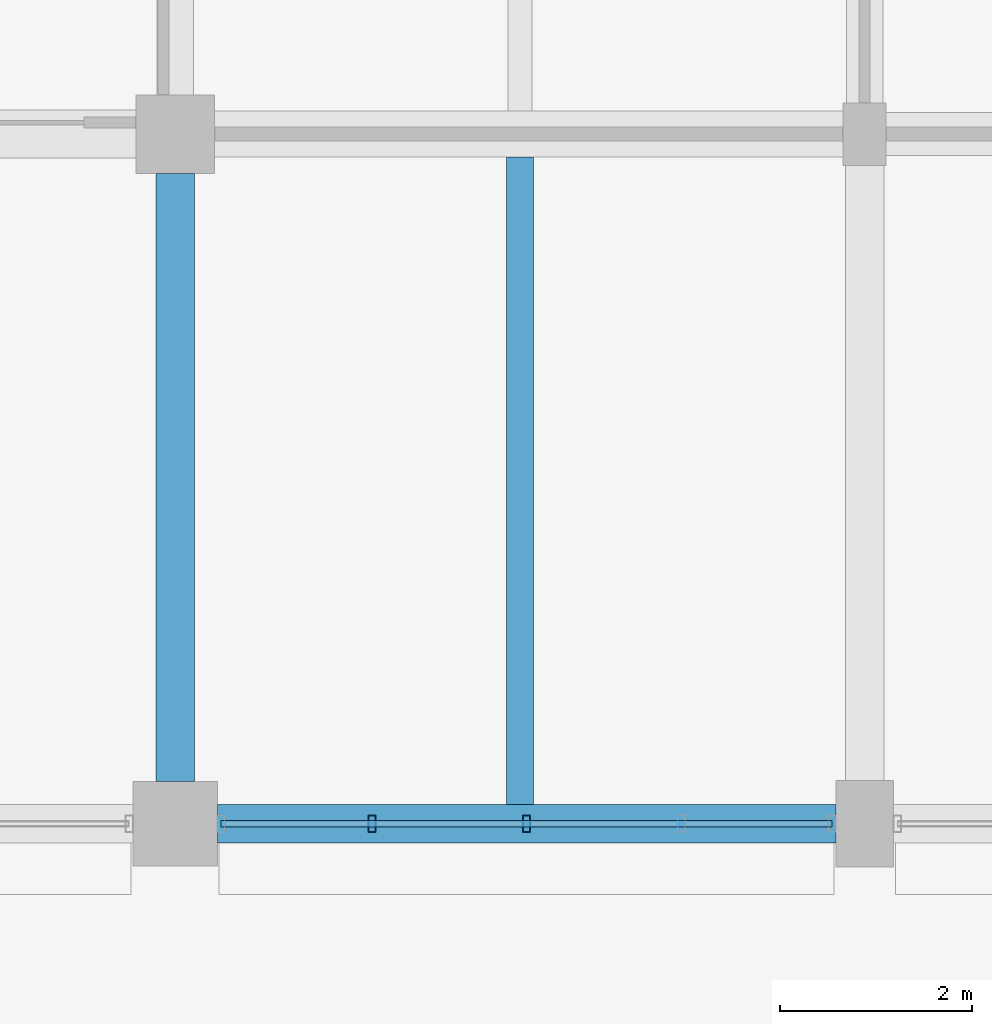
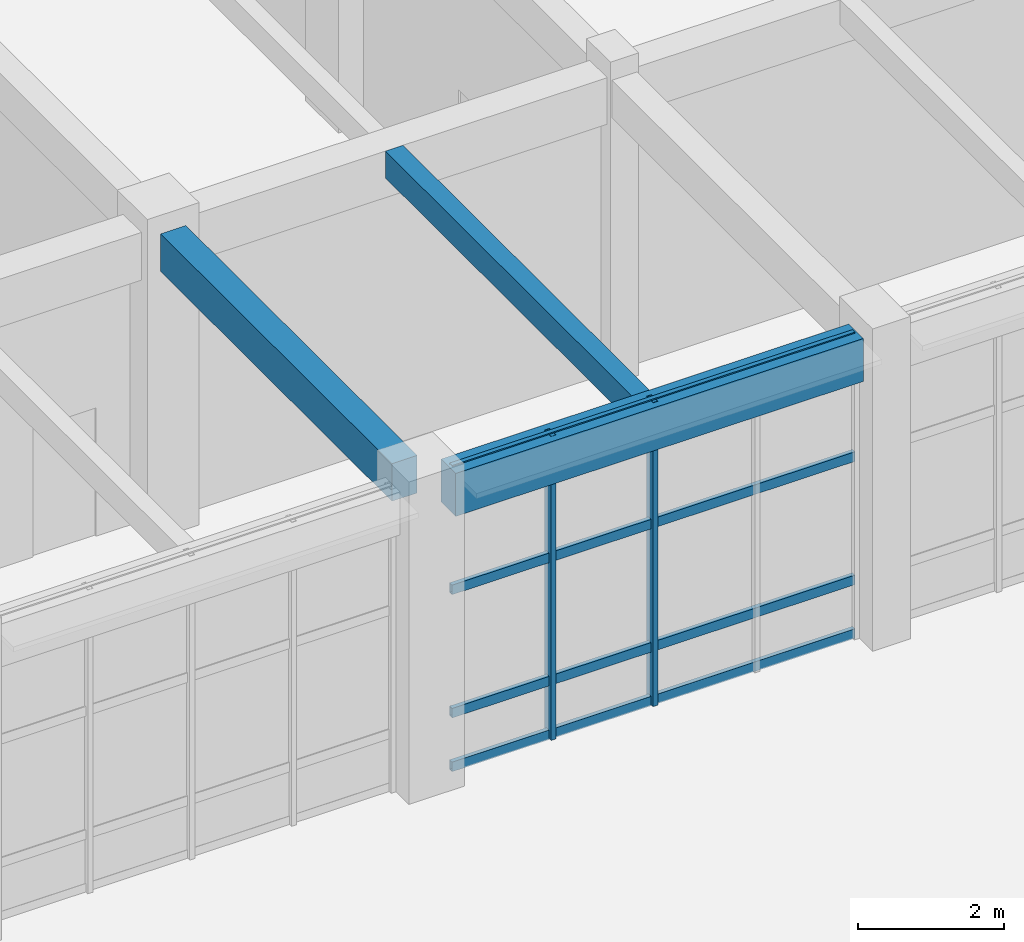
# One storey, part 75 of 160: 6 members, 3 beams, 1 element without a shape of its own.
"""IFC4 building model written with IfcOpenShell, lengths in metres."""

from ifc_helpers import new_model, si_unit, direction, frame, origin, origin_2d, place, context, subcontext, project, spatial, rectangle, hollow_rectangle, extrude, material, material_profile, profile_set, type_object, element, aggregate, save


model = new_model("IFC4")

# Units and contexts
model_context = context("Model", 3, precision=1e-05, world=origin(), true_north=direction((0.0, 1.0)))
body_context = subcontext(model_context, "Body", "Model", "MODEL_VIEW")
ifc_project = project(units=[si_unit("LENGTHUNIT", "METRE"), si_unit("AREAUNIT", "SQUARE_METRE"), si_unit("VOLUMEUNIT", "CUBIC_METRE"), si_unit("PLANEANGLEUNIT", "RADIAN"), si_unit("MASSUNIT", "GRAM", prefix="KILO")], contexts=[model_context])

# Site, building, storey
site_placement = place(None, origin())
site = spatial("IfcSite", under=ifc_project, at=site_placement, CompositionType="ELEMENT")
building_placement = place(site_placement, origin())
building = spatial("IfcBuilding", under=site, at=building_placement, Name="Thalmaran Polytechnic", CompositionType="ELEMENT")
storey_placement = place(building_placement, origin())
storey = spatial("IfcBuildingStorey", under=building, at=storey_placement, Name="L00", CompositionType="ELEMENT", Elevation=0.0)

# Beams
ifc_material_1 = material(Name="Concrete C40/50", Category="concrete")
ifc_material_profile_1 = material_profile(ifc_material_1, rectangle(XDim=0.39990234375, YDim=0.6298828125, at=origin_2d()), Name="RC 400x630")
ifc_profile_set_1 = profile_set([ifc_material_profile_1], Name="Concrete C40/50")
beam_type_1 = type_object("IfcBeamType", Name="BM-RC07", PredefinedType="BEAM", material=ifc_profile_set_1)
beam_1_placement = place(storey_placement, frame((72.0, 94.0400390625, 4.77490234375), z_axis=(0.0, 1.0, 0.0), x_axis=(-1.0, 0.0, 0.0)))
element("IfcBeam", 1, at=beam_1_placement, inside=storey, type_object=beam_type_1, Name="Grid Beam B07 L00 Y(10,13)", PredefinedType="BEAM", context=body_context, shape_type="SweptSolid", body=[
    extrude(rectangle(XDim=0.39990234375, YDim=0.6298828125, at=origin_2d()), origin(), (0.0, 0.0, 1.0), 6.349853515625),
])
ifc_material_profile_2 = material_profile(ifc_material_1, rectangle(XDim=0.280029296875, YDim=0.449951171875, at=origin_2d()), Name="RC 280x450")
ifc_profile_set_2 = profile_set([ifc_material_profile_2], Name="Concrete C40/50")
beam_type_2 = type_object("IfcBeamType", Name="BM-RC13", PredefinedType="JOIST", material=ifc_profile_set_2)
beam_2_placement = place(storey_placement, frame((75.60009765625, 93.800048828125, 4.864990234375), z_axis=(0.0, 1.0, 0.0), x_axis=(-1.0, 0.0, 0.0)))
element("IfcBeam", 2, at=beam_2_placement, inside=storey, type_object=beam_type_2, Name="Secondary Floor Rib RB03 L00 (10,13)", PredefinedType="JOIST", context=body_context, shape_type="SweptSolid", body=[
    extrude(rectangle(XDim=0.280029296875, YDim=0.449951171875, at=origin_2d()), origin(), (0.0, 0.0, 1.0), 6.760009765625),
])
ifc_material_profile_3 = material_profile(ifc_material_1, rectangle(XDim=0.39990234375, YDim=0.719970703125, at=origin_2d()), Name="RC 400x720")
ifc_profile_set_3 = profile_set([ifc_material_profile_3], Name="Concrete C40/50")
beam_type_3 = type_object("IfcBeamType", Name="BM-SP01", PredefinedType="SPANDREL", material=ifc_profile_set_3)
beam_3_placement = place(storey_placement, frame((72.43994140625, 93.60009765625, 4.72998046875), z_axis=(1.0, 0.0, 0.0), x_axis=(0.0, 1.0, 0.0)))
element("IfcBeam", 3, at=beam_3_placement, inside=storey, type_object=beam_type_3, Name="Grid Beam SP01 L00 X(10,13)", PredefinedType="SPANDREL", context=body_context, shape_type="SweptSolid", body=[
    extrude(rectangle(XDim=0.39990234375, YDim=0.719970703125, at=origin_2d()), origin(), (0.0, 0.0, 1.0), 6.4599609375),
])

# Curtain wall, members
ifc_material_2 = material(Name="Aluminium 6063-T6", Category="aluminium")
curtain_wall_type = type_object("IfcCurtainWallType", Name="CW-UC01", PredefinedType="USERDEFINED", material=ifc_material_2)
curtain_wall_placement = place(storey_placement, origin())
curtain_wall = element("IfcCurtainWall", 4, at=curtain_wall_placement, inside=storey, type_object=curtain_wall_type, Name="Curtain Wall CW-L00-015", ObjectType="UNITISED CURTAIN WALL", PredefinedType="USERDEFINED")
ifc_material_profile_4 = material_profile(ifc_material_2, hollow_rectangle(XDim=0.080078125, YDim=0.179931640625, WallThickness=0.0048828125, at=origin_2d()), Name="RHS 180x80x5.0")
ifc_profile_set_4 = profile_set([ifc_material_profile_4], Name="Aluminium 6063-T6")
member_type_1 = type_object("IfcMemberType", Name="CW-MUL1", PredefinedType="MULLION", material=ifc_profile_set_4)
member_1_placement = place(storey_placement, frame((75.669921875, 93.60009765625, 0.0), z_axis=(0.0, 0.0, 1.0), x_axis=(1.0, 0.0, 0.0)))
member_1 = element("IfcMember", 5, at=member_1_placement, type_object=member_type_1, Name="CW-L00-015 Mullion 3", PredefinedType="MULLION", context=body_context, shape_type="SweptSolid", body=[
    extrude(hollow_rectangle(XDim=0.080078125, YDim=0.179931640625, WallThickness=0.0048828125, at=origin_2d()), origin(), (0.0, 0.0, 1.0), 5.090087890625),
])
member_2_placement = place(storey_placement, frame((74.054931640625, 93.60009765625, 0.0), z_axis=(0.0, 0.0, 1.0), x_axis=(1.0, 0.0, 0.0)))
member_2 = element("IfcMember", 6, at=member_2_placement, type_object=member_type_1, Name="CW-L00-015 Mullion 4", PredefinedType="MULLION", context=body_context, shape_type="SweptSolid", body=[
    extrude(hollow_rectangle(XDim=0.080078125, YDim=0.179931640625, WallThickness=0.0048828125, at=origin_2d()), origin(), (0.0, 0.0, 1.0), 5.090087890625),
])
ifc_material_profile_5 = material_profile(ifc_material_2, hollow_rectangle(XDim=0.070068359375, YDim=0.159912109375, WallThickness=0.00390625, at=origin_2d()), Name="AL 160x70x4.0")
ifc_profile_set_5 = profile_set([ifc_material_profile_5], Name="Aluminium 6063-T6")
member_type_2 = type_object("IfcMemberType", Name="CW-TRN1", PredefinedType="USERDEFINED", material=ifc_profile_set_5)
member_3_placement = place(storey_placement, frame((78.860107421875, 93.60009765625, 0.06005859375), z_axis=(-1.0, 0.0, 0.0), x_axis=(0.0, -1.0, 0.0)))
member_3 = element("IfcMember", 7, at=member_3_placement, type_object=member_type_2, Name="CW-L00-015 Transom 1", ObjectType="TRANSOM", PredefinedType="USERDEFINED", context=body_context, shape_type="SweptSolid", body=[
    extrude(hollow_rectangle(XDim=0.070068359375, YDim=0.159912109375, WallThickness=0.00390625, at=origin_2d()), origin(), (0.0, 0.0, 1.0), 6.380126953125),
])
member_4_placement = place(storey_placement, frame((78.860107421875, 93.60009765625, 0.9599609375), z_axis=(-1.0, 0.0, 0.0), x_axis=(0.0, -1.0, 0.0)))
member_4 = element("IfcMember", 8, at=member_4_placement, type_object=member_type_2, Name="CW-L00-015 Transom 2", ObjectType="TRANSOM", PredefinedType="USERDEFINED", context=body_context, shape_type="SweptSolid", body=[
    extrude(hollow_rectangle(XDim=0.070068359375, YDim=0.159912109375, WallThickness=0.00390625, at=origin_2d()), origin(), (0.0, 0.0, 1.0), 6.380126953125),
])
member_5_placement = place(storey_placement, frame((78.860107421875, 93.60009765625, 3.02490234375), z_axis=(-1.0, 0.0, 0.0), x_axis=(0.0, -1.0, 0.0)))
member_5 = element("IfcMember", 9, at=member_5_placement, type_object=member_type_2, Name="CW-L00-015 Transom 3", ObjectType="TRANSOM", PredefinedType="USERDEFINED", context=body_context, shape_type="SweptSolid", body=[
    extrude(hollow_rectangle(XDim=0.070068359375, YDim=0.159912109375, WallThickness=0.00390625, at=origin_2d()), origin(), (0.0, 0.0, 1.0), 6.380126953125),
])
member_6_placement = place(storey_placement, frame((78.860107421875, 93.60009765625, 5.030029296875), z_axis=(-1.0, 0.0, 0.0), x_axis=(0.0, -1.0, 0.0)))
member_6 = element("IfcMember", 10, at=member_6_placement, type_object=member_type_2, Name="CW-L00-015 Transom 4", ObjectType="TRANSOM", PredefinedType="USERDEFINED", context=body_context, shape_type="SweptSolid", body=[
    extrude(hollow_rectangle(XDim=0.070068359375, YDim=0.159912109375, WallThickness=0.00390625, at=origin_2d()), origin(), (0.0, 0.0, 1.0), 6.380126953125),
])
aggregate(curtain_wall, [member_1, member_2, member_3, member_4, member_5, member_6])

save(model, "model.ifc")
